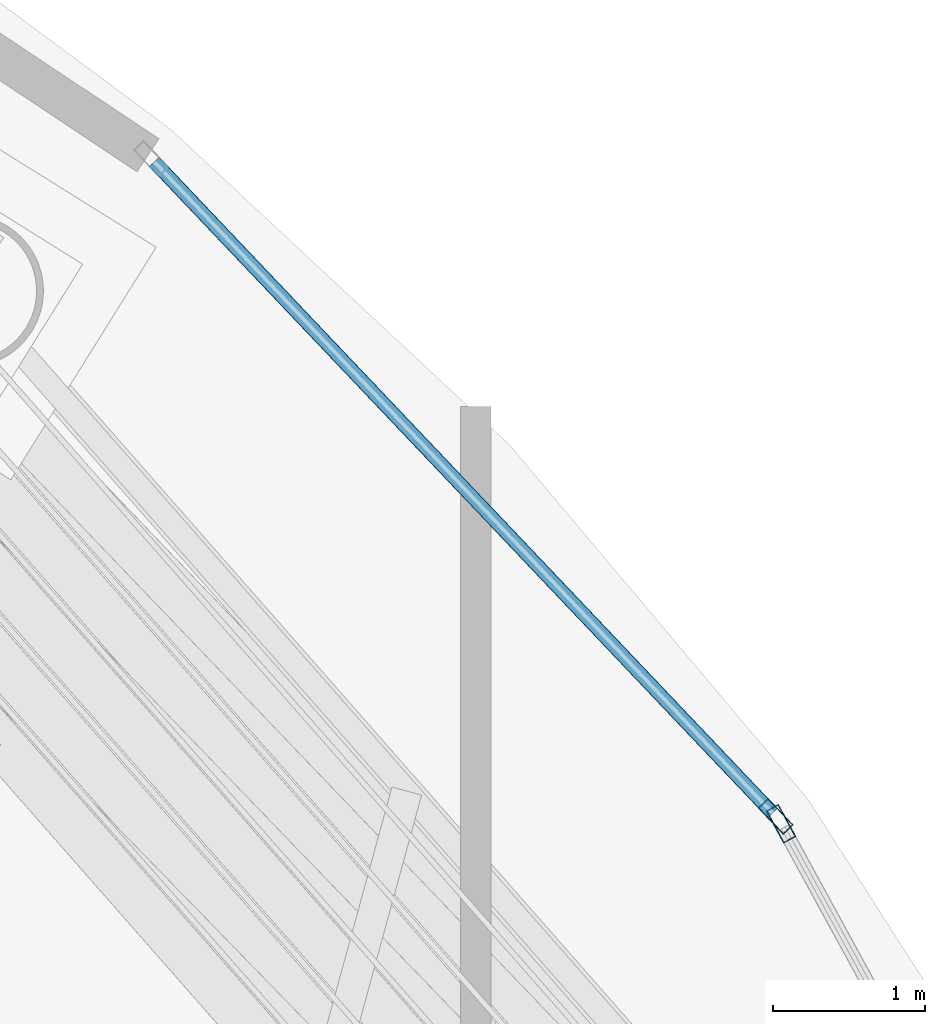
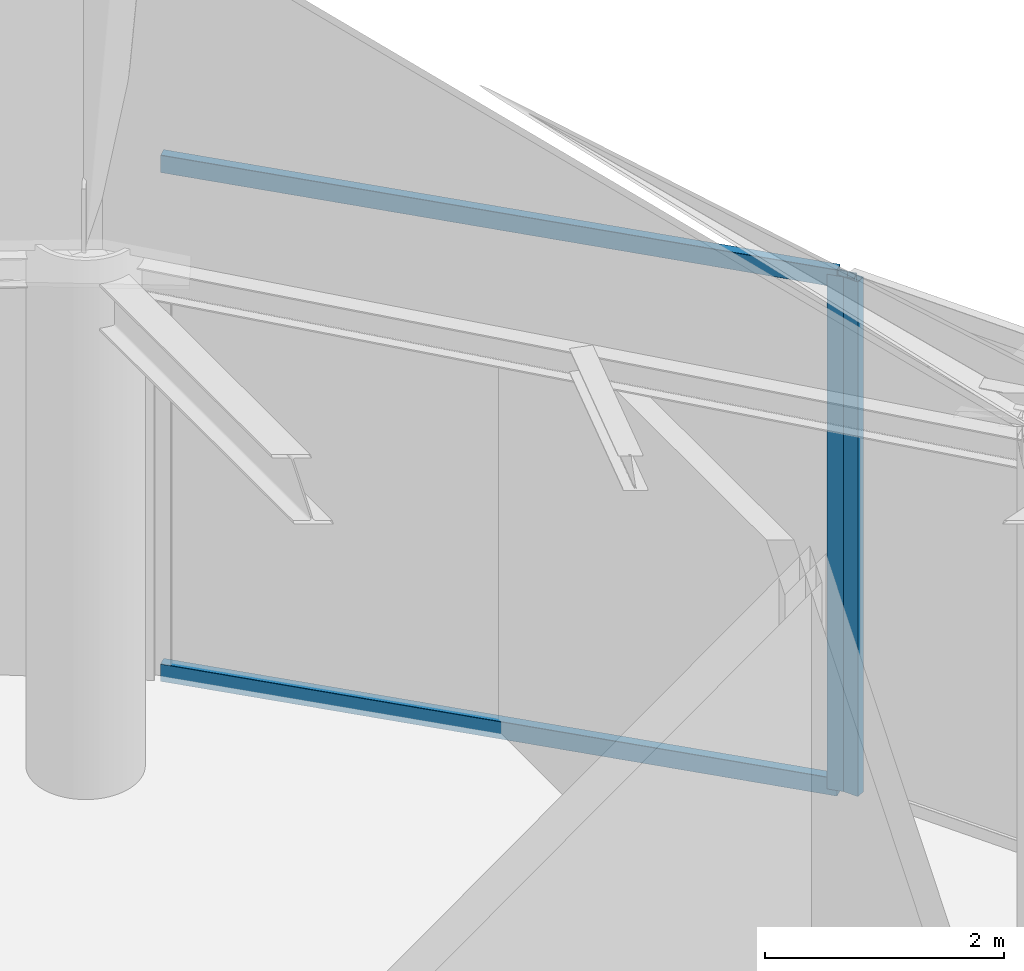
# One storey, part 34 of 40: 4 members, 2 elements without a shape of their own.
"""IFC4 building model written with IfcOpenShell, lengths in metres."""

import ifcopenshell
import ifcopenshell.guid

model = None  # the IFC model being written
_history = None  # IfcOwnerHistory: only IFC2X3 demands one
_inside = {}  # id of a spatial element -> (the spatial element, [elements in it])
_under = {}  # id of a project, library or spatial element -> (it, [spatial elements below it])
_declared = {}  # id of a project -> (the project, [libraries it declares])
_typed = {}  # id of a type object -> (the type object, [elements of that type])
_made_of = {}  # id of a material, layer set ... -> (it, [elements and type objects made of it])


def new_model(schema):
    """Start an empty IFC model of exactly this schema.

    Asked for "IFC4X3", IfcOpenShell would pick the latest addendum, in which some entities
    have other attributes; the version numbers below select the first issue.
    IFC2X3 requires an IfcOwnerHistory on every rooted entity: one is made here for all.
    """
    global model, _history
    if schema == "IFC4X3":
        model = ifcopenshell.file(schema_version=(4, 3, 0, 0))
    else:
        model = ifcopenshell.file(schema=schema)
    _inside.clear()
    _under.clear()
    _declared.clear()
    _typed.clear()
    _made_of.clear()
    _history = None
    if model.schema == "IFC2X3":
        org = make("IfcOrganization", Name="unknown")
        user = make(
            "IfcPersonAndOrganization",
            ThePerson=make("IfcPerson", FamilyName="unknown"),
            TheOrganization=org,
        )
        app = make(
            "IfcApplication",
            ApplicationDeveloper=org,
            Version="unknown",
            ApplicationFullName="unknown",
            ApplicationIdentifier="unknown",
        )
        _history = make(
            "IfcOwnerHistory",
            OwningUser=user,
            OwningApplication=app,
            ChangeAction="ADDED",
            CreationDate=0,
        )
    return model


def make(cls, **values):
    """One entity of the class cls with the attributes given. An attribute that is None is left unset."""
    return model.create_entity(
        cls, **{name: value for name, value in values.items() if value is not None}
    )


def rooted(cls, **values):
    """An entity with a GlobalId (a new one), such as an element, a storey or a relation."""
    return make(cls, GlobalId=ifcopenshell.guid.new(), OwnerHistory=_history, **values)


def si_unit(unit_type, name, prefix=None):
    """IfcSIUnit, for example si_unit("LENGTHUNIT", "METRE", prefix="MILLI")."""
    return make("IfcSIUnit", UnitType=unit_type, Prefix=prefix, Name=name)


def assignment(units):
    """IfcUnitAssignment: the units of a project."""
    return None if units is None else make("IfcUnitAssignment", Units=units)


def point(xyz):
    """IfcCartesianPoint."""
    return None if xyz is None else make("IfcCartesianPoint", Coordinates=xyz)


def direction(xyz):
    """IfcDirection."""
    return None if xyz is None else make("IfcDirection", DirectionRatios=xyz)


def frame(location, z_axis=None, x_axis=None):
    """IfcAxis2Placement3D, a coordinate frame: its origin and axes. An axis left out is left unset."""
    return make(
        "IfcAxis2Placement3D",
        Location=point(location),
        Axis=direction(z_axis),
        RefDirection=direction(x_axis),
    )


def frame_2d(location, x_axis=None):
    """IfcAxis2Placement2D, a coordinate frame in the plane: its origin and x axis."""
    return make(
        "IfcAxis2Placement2D", Location=point(location), RefDirection=direction(x_axis)
    )


def origin():
    """The frame at (0, 0, 0) with its axes left unset."""
    return frame((0.0, 0.0, 0.0))


def origin_2d():
    """The frame at (0, 0) in the plane with its x axis left unset."""
    return frame_2d((0.0, 0.0))


def place(relative_to, where):
    """IfcLocalPlacement: puts the frame where relative to a parent placement (None: the world)."""
    return make(
        "IfcLocalPlacement", PlacementRelTo=relative_to, RelativePlacement=where
    )


def context(
    kind, dimensions, precision=None, world=None, true_north=None, identifier=None
):
    """IfcGeometricRepresentationContext, for example the 3D "Model" context."""
    return make(
        "IfcGeometricRepresentationContext",
        ContextIdentifier=identifier,
        ContextType=kind,
        CoordinateSpaceDimension=dimensions,
        Precision=precision,
        WorldCoordinateSystem=world,
        TrueNorth=true_north,
    )


def subcontext(parent, identifier, kind, view, scale=None):
    """IfcGeometricRepresentationSubContext, for example "Body" below "Model"."""
    return make(
        "IfcGeometricRepresentationSubContext",
        ContextIdentifier=identifier,
        ContextType=kind,
        ParentContext=parent,
        TargetScale=scale,
        TargetView=view,
    )


def project(units=None, contexts=None):
    """IfcProject with its units and contexts."""
    return rooted(
        "IfcProject",
        Name="project",
        RepresentationContexts=contexts,
        UnitsInContext=assignment(units),
    )


def spatial(cls, under=None, at=None, **own):
    """A site, building, storey or space (cls), placed at a placement, below another one or the project."""
    s = rooted(cls, ObjectPlacement=at, **own)
    if under is not None:
        _under.setdefault(under.id(), (under, []))[1].append(s)
    return s


def profile(cls, at=None, kind="AREA", **sizes):
    """A parametric profile (cls). Its sizes go by their IFC names, for example OverallWidth=200.0."""
    return make(cls, ProfileType=kind, Position=at, **sizes)


def hollow_rectangle(**sizes):
    """IfcRectangleHollowProfileDef."""
    return profile("IfcRectangleHollowProfileDef", **sizes)


def extrude(swept, where, along, depth):
    """IfcExtrudedAreaSolid: the profile swept, set in the frame where, extruded along a direction by depth."""
    return make(
        "IfcExtrudedAreaSolid",
        SweptArea=swept,
        Position=where,
        ExtrudedDirection=direction(along),
        Depth=depth,
    )


def shape(context_of_items, identifier, shape_type, items):
    """IfcShapeRepresentation: the items that make up one representation, for example the "Body"."""
    return make(
        "IfcShapeRepresentation",
        ContextOfItems=context_of_items,
        RepresentationIdentifier=identifier,
        RepresentationType=shape_type,
        Items=items,
    )


def material(Name=None, Category=None):
    """IfcMaterial."""
    return make("IfcMaterial", Name=Name, Category=Category)


def layer(
    of_material, thickness, ventilated=None, Name=None, Category=None, Priority=None
):
    """IfcMaterialLayer: one layer of a wall or slab, of a material (None: an air gap)."""
    return make(
        "IfcMaterialLayer",
        Material=of_material,
        LayerThickness=thickness,
        IsVentilated=ventilated,
        Name=Name,
        Category=Category,
        Priority=Priority,
    )


def layer_set(layers, Name=None):
    """IfcMaterialLayerSet."""
    return make("IfcMaterialLayerSet", MaterialLayers=layers, LayerSetName=Name)


def material_profile(
    of_material, cross_section, Name=None, Category=None, Priority=None
):
    """IfcMaterialProfile: a cross section and its material."""
    return make(
        "IfcMaterialProfile",
        Name=Name,
        Material=of_material,
        Profile=cross_section,
        Priority=Priority,
        Category=Category,
    )


def profile_set(profiles, Name=None, composite=None):
    """IfcMaterialProfileSet."""
    return make(
        "IfcMaterialProfileSet",
        Name=Name,
        MaterialProfiles=profiles,
        CompositeProfile=composite,
    )


def made_of(thing, what):
    """Note that an element or type object is made of a material, layer set ...; save() writes the relation."""
    if what is not None:
        _made_of.setdefault(what.id(), (what, []))[1].append(thing)
    return thing


def type_object(cls, material=None, **own):
    """A type object (cls), such as IfcWallType, which elements share."""
    return made_of(rooted(cls, **own), material)


def element(
    cls,
    number,
    at=None,
    inside=None,
    cuts=None,
    type_object=None,
    material=None,
    context=None,
    identifier="Body",
    shape_type=None,
    held_by="IfcProductDefinitionShape",
    body=None,
    shapes=None,
    **own,
):
    """One element of the class cls, such as IfcWall. Its Tag is "e" and its number.

    at: its placement. inside: the storey or other place that contains it. cuts: it is an
    opening in that element (IfcRelVoidsElement). A single representation is given by context,
    identifier, shape_type and body (its items); several are given by shapes. held_by: the class
    of the entity that holds the representations. save() writes the other relations.
    """
    e = rooted(cls, Tag="e%d" % number, ObjectPlacement=at, **own)
    if body is not None:
        shapes = [shape(context, identifier, shape_type, body)]
    if shapes is not None:
        e.Representation = make(held_by, Representations=shapes)
    if inside is not None:
        _inside.setdefault(inside.id(), (inside, []))[1].append(e)
    if cuts is not None:
        rooted(
            "IfcRelVoidsElement", RelatingBuildingElement=cuts, RelatedOpeningElement=e
        )
    if type_object is not None:
        _typed.setdefault(type_object.id(), (type_object, []))[1].append(e)
    return made_of(e, material)


def aggregate(whole, parts):
    """IfcRelAggregates: a whole, such as a stair, and the parts it consists of."""
    return rooted("IfcRelAggregates", RelatingObject=whole, RelatedObjects=parts)


def save(model, path):
    """Write the relations noted so far, then the file.

    IfcRelAggregates (storeys below a building ...), IfcRelContainedInSpatialStructure (elements
    in a storey), IfcRelDefinesByType, IfcRelAssociatesMaterial and IfcRelDeclares: one each for
    every whole, place, type object, material and project.
    """
    for whole, parts in _under.values():
        aggregate(whole, parts)
    for where, things in _inside.values():
        rooted(
            "IfcRelContainedInSpatialStructure",
            RelatedElements=things,
            RelatingStructure=where,
        )
    for kind, things in _typed.values():
        rooted("IfcRelDefinesByType", RelatedObjects=things, RelatingType=kind)
    for what, things in _made_of.values():
        rooted("IfcRelAssociatesMaterial", RelatedObjects=things, RelatingMaterial=what)
    for by, libraries in _declared.values():
        rooted("IfcRelDeclares", RelatingContext=by, RelatedDefinitions=libraries)
    model.write(path)


model = new_model("IFC4")

# Units and contexts
model_context = context("Model", 3, precision=1e-05, world=origin(), true_north=direction((0.0, 1.0)))
body_context = subcontext(model_context, "Body", "Model", "MODEL_VIEW")
ifc_project = project(units=[si_unit("LENGTHUNIT", "METRE"), si_unit("AREAUNIT", "SQUARE_METRE"), si_unit("VOLUMEUNIT", "CUBIC_METRE"), si_unit("PLANEANGLEUNIT", "RADIAN"), si_unit("MASSUNIT", "GRAM", prefix="KILO")], contexts=[model_context])

# Site, building, storey
site_placement = place(None, origin())
site = spatial("IfcSite", under=ifc_project, at=site_placement, CompositionType="ELEMENT")
building_placement = place(site_placement, origin())
building = spatial("IfcBuilding", under=site, at=building_placement, Name="Bramvorn Convention Spire", CompositionType="ELEMENT")
storey_placement = place(building_placement, frame((0.0, 0.0, 312.5)))
storey = spatial("IfcBuildingStorey", under=building, at=storey_placement, Name="L79", CompositionType="ELEMENT", Elevation=312.5)

# Curtain wall, member
ifc_material_1 = material(Name="Anodised Bronze Unitised Curtain Wall", Category="aluminium")
ifc_layer = layer(ifc_material_1, 0.199951171875)
ifc_layer_set = layer_set([ifc_layer], Name="Anodised Bronze Unitised Curtain Wall - CW-CROWN-SPIRE")
curtain_wall_type = type_object("IfcCurtainWallType", Name="CW-CROWN-SPIRE", PredefinedType="USERDEFINED", material=ifc_layer_set)
curtain_wall_1_placement = place(storey_placement, origin())
curtain_wall_1 = element("IfcCurtainWall", 1, at=curtain_wall_1_placement, inside=storey, type_object=curtain_wall_type, Name="L79 fritted glass curtain wall 07", ObjectType="UNITISED CURTAIN WALL", PredefinedType="USERDEFINED")
ifc_material_2 = material(Name="Anodised Bronze Aluminium 6063-T6", Category="aluminium")
ifc_material_profile_1 = material_profile(ifc_material_2, hollow_rectangle(XDim=0.090087890625, YDim=0.239990234375, WallThickness=0.00439453125, InnerFilletRadius=0.0009765625, OuterFilletRadius=0.00439453125, at=origin_2d()))
ifc_profile_set_1 = profile_set([ifc_material_profile_1], Name="Anodised Bronze Aluminium 6063-T6 - CWM90X240")
member_type_1 = type_object("IfcMemberType", Name="CW-MUL-220", PredefinedType="MULLION", material=ifc_profile_set_1)
member_1_placement = place(storey_placement, frame((53.00439453125, 37.97900390625, 0.0), z_axis=(0.0, 0.0, 1.0), x_axis=(0.87773898869, 0.479139090174, 0.0)))
member_1 = element("IfcMember", 2, at=member_1_placement, type_object=member_type_1, Name="CW6 mullion 1", PredefinedType="MULLION", context=body_context, shape_type="SweptSolid", body=[
    extrude(hollow_rectangle(XDim=0.090087890625, YDim=0.239990234375, WallThickness=0.00439453125, InnerFilletRadius=0.0009765625, OuterFilletRadius=0.00439453125, at=origin_2d()), origin(), (0.0, 0.0, 1.0), 5.25),
])
aggregate(curtain_wall_1, [member_1])

# Curtain wall, members
curtain_wall_2_placement = place(storey_placement, origin())
curtain_wall_2 = element("IfcCurtainWall", 3, at=curtain_wall_2_placement, inside=storey, type_object=curtain_wall_type, Name="L79 fritted glass curtain wall 08", ObjectType="UNITISED CURTAIN WALL", PredefinedType="USERDEFINED")
member_2_placement = place(storey_placement, frame((52.96923828125, 38.027099609375, 0.0), z_axis=(0.0, 0.0, 1.0), x_axis=(0.725223130248, 0.688513915149, 0.0)))
member_2 = element("IfcMember", 4, at=member_2_placement, type_object=member_type_1, Name="CW6 mullion 2", PredefinedType="MULLION", context=body_context, shape_type="SweptSolid", body=[
    extrude(hollow_rectangle(XDim=0.090087890625, YDim=0.239990234375, WallThickness=0.00439453125, InnerFilletRadius=0.0009765625, OuterFilletRadius=0.00439453125, at=origin_2d()), origin(), (0.0, 0.0, 1.0), 5.25),
])
ifc_material_profile_2 = material_profile(ifc_material_2, hollow_rectangle(XDim=0.090087890625, YDim=0.179931640625, WallThickness=0.00439453125, InnerFilletRadius=0.0009765625, OuterFilletRadius=0.00439453125, at=origin_2d()))
ifc_profile_set_2 = profile_set([ifc_material_profile_2], Name="Anodised Bronze Aluminium 6063-T6 - CWT90X180")
member_type_2 = type_object("IfcMemberType", Name="CW-TRN-180", PredefinedType="USERDEFINED", material=ifc_profile_set_2)
member_3_placement = place(storey_placement, frame((48.889892578125, 42.323974609375, 0.030029296875), z_axis=(0.688521945633, -0.725215506164, 0.0), x_axis=(0.725215506164, 0.688521945633, 0.0)))
member_3 = element("IfcMember", 5, at=member_3_placement, type_object=member_type_2, Name="CW6 transom 1.1", ObjectType="TRANSOM", PredefinedType="USERDEFINED", context=body_context, shape_type="SweptSolid", body=[
    extrude(hollow_rectangle(XDim=0.090087890625, YDim=0.179931640625, WallThickness=0.00439453125, InnerFilletRadius=0.0009765625, OuterFilletRadius=0.00439453125, at=origin_2d()), origin(), (0.0, 0.0, 1.0), 5.89501953125),
])
member_4_placement = place(storey_placement, frame((48.889892578125, 42.323974609375, 5.219970703125), z_axis=(0.688521945633, -0.725215506164, 0.0), x_axis=(0.725215506164, 0.688521945633, 0.0)))
member_4 = element("IfcMember", 6, at=member_4_placement, type_object=member_type_2, Name="CW6 transom 1.2", ObjectType="TRANSOM", PredefinedType="USERDEFINED", context=body_context, shape_type="SweptSolid", body=[
    extrude(hollow_rectangle(XDim=0.090087890625, YDim=0.179931640625, WallThickness=0.00439453125, InnerFilletRadius=0.0009765625, OuterFilletRadius=0.00439453125, at=origin_2d()), origin(), (0.0, 0.0, 1.0), 5.89501953125),
])
aggregate(curtain_wall_2, [member_2, member_3, member_4])

save(model, "model.ifc")
